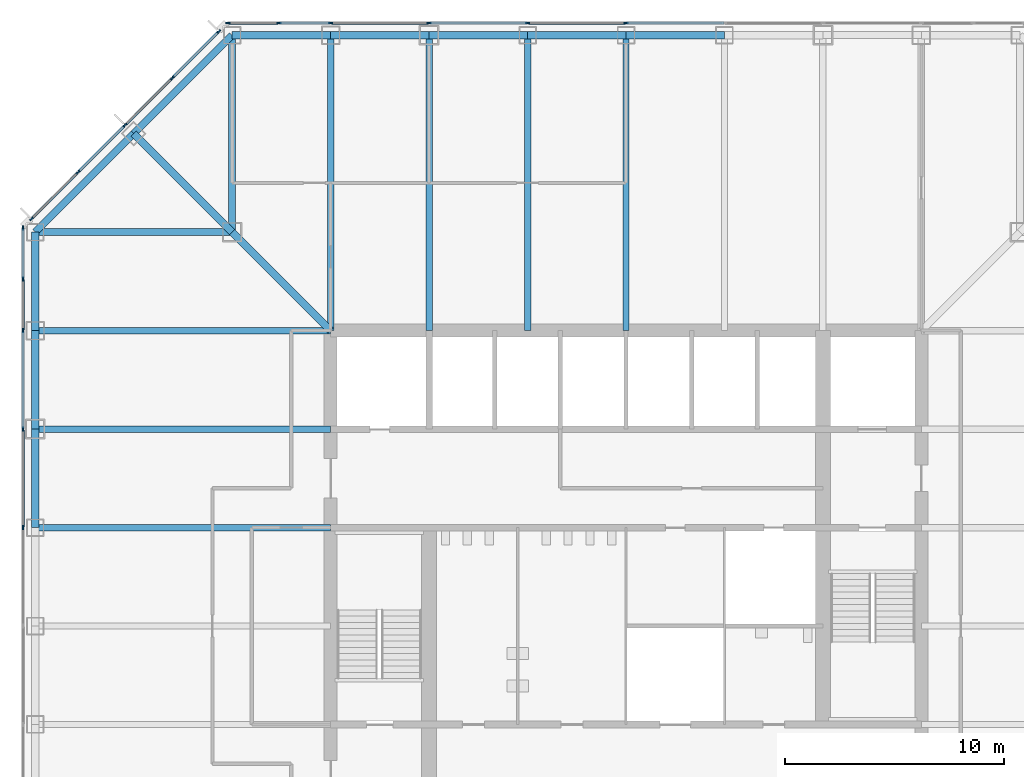
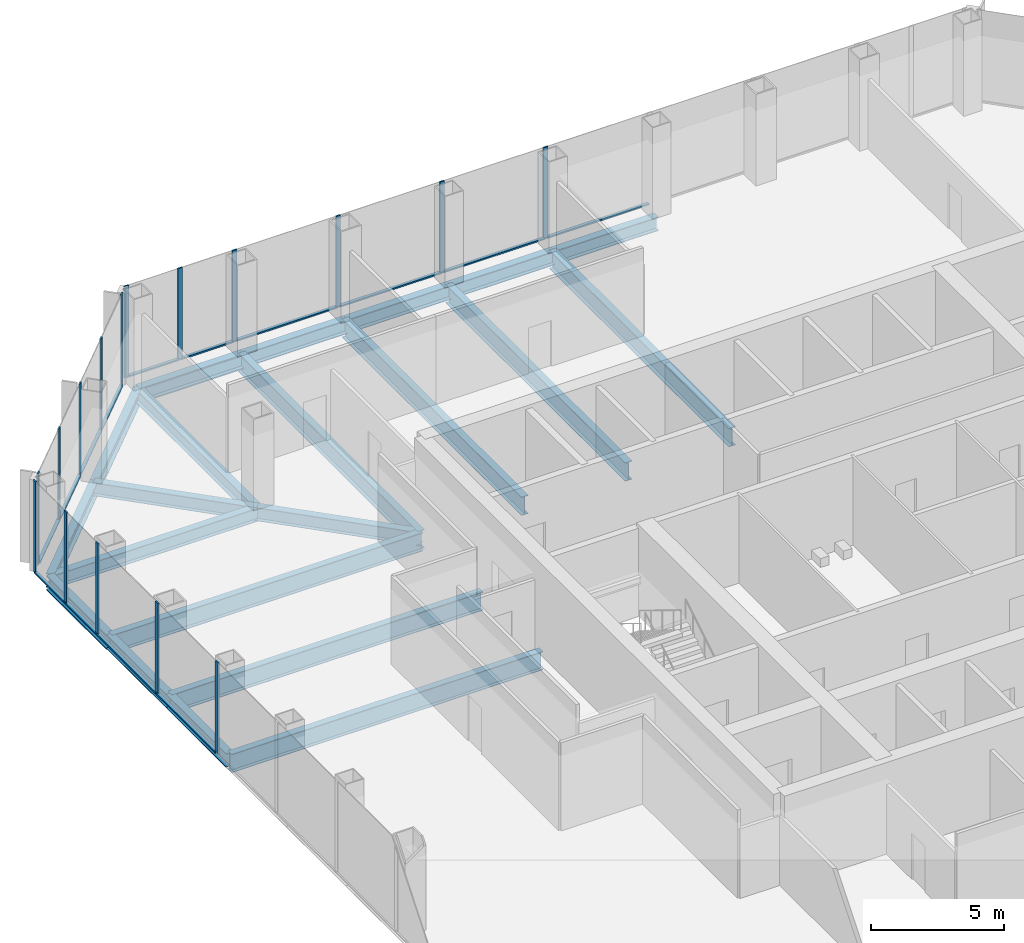
# One storey, part 5 of 12: 30 members, 21 beams, 3 elements without a shape of their own.
"""IFC4 building model written with IfcOpenShell, lengths in metres."""

from ifc_helpers import new_model, si_unit, direction, frame, origin, origin_2d, place, context, subcontext, project, spatial, rectangle, i_section, extrude, material, material_profile, profile_set, type_object, element, aggregate, save


model = new_model("IFC4")

# Units and contexts
model_context = context("Model", 3, precision=1e-05, world=origin(), true_north=direction((0.0, 1.0)))
body_context = subcontext(model_context, "Body", "Model", "MODEL_VIEW")
ifc_project = project(units=[si_unit("LENGTHUNIT", "METRE"), si_unit("AREAUNIT", "SQUARE_METRE"), si_unit("VOLUMEUNIT", "CUBIC_METRE"), si_unit("PLANEANGLEUNIT", "RADIAN"), si_unit("MASSUNIT", "GRAM", prefix="KILO")], contexts=[model_context])

# Site, building, storey
site_placement = place(None, origin())
site = spatial("IfcSite", under=ifc_project, at=site_placement, CompositionType="ELEMENT")
building_placement = place(site_placement, origin())
building = spatial("IfcBuilding", under=site, at=building_placement, Name="Corais Broadcast Tower", CompositionType="ELEMENT")
storey_placement = place(building_placement, frame((0.0, 0.0, 50.0)))
storey = spatial("IfcBuildingStorey", under=building, at=storey_placement, Name="L10", CompositionType="ELEMENT", Elevation=50.0)

# Beams
ifc_material_1 = material(Name="Steel ASTM A572 Grade 50", Category="steel")
ifc_material_profile_1 = material_profile(ifc_material_1, i_section(OverallWidth=0.323974609375, OverallDepth=0.611083984375, WebThickness=0.0126953125, FlangeThickness=0.01904296875, at=origin_2d()), Name="W610x155")
ifc_profile_set_1 = profile_set([ifc_material_profile_1], Name="Steel ASTM A572 Grade 50")
beam_type_1 = type_object("IfcBeamType", Name="Chamfer tie W610x155", PredefinedType="BEAM", material=ifc_profile_set_1)
beam_1_placement = place(storey_placement, frame((4.5, 49.5, -0.465576171875), z_axis=(0.707106781187, -0.707106781187, 0.0), x_axis=(0.707106781187, 0.707106781187, 0.0)))
element("IfcBeam", 1, at=beam_1_placement, inside=storey, type_object=beam_type_1, Name="B5 M/4 to L/5", PredefinedType="BEAM", context=body_context, shape_type="SweptSolid", body=[
    extrude(i_section(OverallWidth=0.323974609375, OverallDepth=0.611083984375, WebThickness=0.0126953125, FlangeThickness=0.01904296875, at=origin_2d()), origin(), (0.0, 0.0, 1.0), 6.364013671875),
])
ifc_material_2 = material(Name="Steel ASTM A572 Grade 50", Category="steel")
ifc_material_profile_2 = material_profile(ifc_material_2, i_section(OverallWidth=0.323974609375, OverallDepth=0.611083984375, WebThickness=0.0126953125, FlangeThickness=0.01904296875, at=origin_2d()), Name="W610x155")
ifc_profile_set_2 = profile_set([ifc_material_profile_2], Name="Steel ASTM A572 Grade 50")
beam_type_2 = type_object("IfcBeamType", Name="Corner diagonal W610x155", PredefinedType="BEAM", material=ifc_profile_set_2)
beam_2_placement = place(storey_placement, frame((9.0, 45.0, -0.465576171875), z_axis=(0.707106781187, -0.707106781187, 0.0), x_axis=(0.707106781187, 0.707106781187, 0.0)))
element("IfcBeam", 2, at=beam_2_placement, inside=storey, type_object=beam_type_2, Name="B6 L/5 to K/6", PredefinedType="BEAM", context=body_context, shape_type="SweptSolid", body=[
    extrude(i_section(OverallWidth=0.323974609375, OverallDepth=0.611083984375, WebThickness=0.0126953125, FlangeThickness=0.01904296875, at=origin_2d()), origin(), (0.0, 0.0, 1.0), 6.364013671875),
])
ifc_material_3 = material(Name="Steel ASTM A572 Grade 50", Category="steel")
ifc_material_profile_3 = material_profile(ifc_material_3, i_section(OverallWidth=0.323974609375, OverallDepth=0.611083984375, WebThickness=0.0126953125, FlangeThickness=0.01904296875, at=origin_2d()), Name="W610x155")
ifc_profile_set_3 = profile_set([ifc_material_profile_3], Name="Steel ASTM A572 Grade 50")
beam_type_3 = type_object("IfcBeamType", Name="Corner girder W610x155", PredefinedType="BEAM", material=ifc_profile_set_3)
for number, where, z_axis, x_axis, name in (
    (3, (0.0, 45.0, -0.465576171875), (1.0, 0.0, 0.0), (0.0, 1.0, 0.0), "B4 L/3 to L/5"),
    (4, (9.0, 54.0, -0.465576171875), (0.0, -1.0, 0.0), (1.0, 0.0, 0.0), "B4 N/5 to L/5"),
):
    element("IfcBeam", number, at=place(storey_placement, frame(where, z_axis=z_axis, x_axis=x_axis)), inside=storey, type_object=beam_type_3, Name=name, PredefinedType="BEAM", context=body_context, shape_type="SweptSolid", body=[
        extrude(i_section(OverallWidth=0.323974609375, OverallDepth=0.611083984375, WebThickness=0.0126953125, FlangeThickness=0.01904296875, at=origin_2d()), origin(), (0.0, 0.0, 1.0), 9.0),
    ])
ifc_material_4 = material(Name="Steel ASTM A572 Grade 50", Category="steel")
ifc_material_profile_4 = material_profile(ifc_material_4, i_section(OverallWidth=0.337890625, OverallDepth=0.677978515625, WebThickness=0.029541015625, FlangeThickness=0.052978515625, at=origin_2d()), Name="W610x415")
ifc_profile_set_4 = profile_set([ifc_material_profile_4], Name="Steel ASTM A572 Grade 50")
beam_type_4 = type_object("IfcBeamType", Name="Corner spandrel W610x415", PredefinedType="BEAM", material=ifc_profile_set_4)
for number, where, z_axis, x_axis, name in (
    (5, (0.0, 45.0, -0.4990234375), (0.0, -1.0, 0.0), (1.0, 0.0, 0.0), "SB10 L/3 to K/3"),
    (6, (13.5, 54.0, -0.4990234375), (-1.0, 0.0, 0.0), (0.0, -1.0, 0.0), "SB10 N/6 to N/5"),
):
    element("IfcBeam", number, at=place(storey_placement, frame(where, z_axis=z_axis, x_axis=x_axis)), inside=storey, type_object=beam_type_4, Name=name, PredefinedType="BEAM", context=body_context, shape_type="SweptSolid", body=[
        extrude(i_section(OverallWidth=0.337890625, OverallDepth=0.677978515625, WebThickness=0.029541015625, FlangeThickness=0.052978515625, at=origin_2d()), origin(), (0.0, 0.0, 1.0), 4.5),
    ])
ifc_material_5 = material(Name="Steel ASTM A572 Grade 50", Category="steel")
ifc_material_profile_5 = material_profile(ifc_material_5, i_section(OverallWidth=0.2939453125, OverallDepth=0.85107421875, WebThickness=0.01611328125, FlangeThickness=0.02685546875, at=origin_2d()), Name="W840x226")
ifc_profile_set_5 = profile_set([ifc_material_profile_5], Name="Steel ASTM A572 Grade 50")
beam_type_5 = type_object("IfcBeamType", Name="Floor beam W840x226", PredefinedType="BEAM", material=ifc_profile_set_5)
for number, where, z_axis, x_axis, name in (
    (7, (0.0, 31.5, -0.58544921875), (1.0, 0.0, 0.0), (0.0, 1.0, 0.0), "B1 H/3 to H/6"),
    (8, (0.0, 36.0, -0.58544921875), (1.0, 0.0, 0.0), (0.0, 1.0, 0.0), "B1 J/3 to J/6"),
    (9, (0.0, 40.5, -0.58544921875), (1.0, 0.0, 0.0), (0.0, 1.0, 0.0), "B1 K/3 to K/6"),
    (10, (13.5, 54.0, -0.58544921875), (0.0, -1.0, 0.0), (1.0, 0.0, 0.0), "B1 N/6 to K/6"),
    (11, (18.0, 54.0, -0.58544921875), (0.0, -1.0, 0.0), (1.0, 0.0, 0.0), "B1 N/7 to K/7"),
    (12, (22.5, 54.0, -0.58544921875), (0.0, -1.0, 0.0), (1.0, 0.0, 0.0), "B1 N/8 to K/8"),
    (13, (27.0, 54.0, -0.58544921875), (0.0, -1.0, 0.0), (1.0, 0.0, 0.0), "B1 N/9 to K/9"),
):
    element("IfcBeam", number, at=place(storey_placement, frame(where, z_axis=z_axis, x_axis=x_axis)), inside=storey, type_object=beam_type_5, Name=name, PredefinedType="BEAM", context=body_context, shape_type="SweptSolid", body=[
        extrude(i_section(OverallWidth=0.2939453125, OverallDepth=0.85107421875, WebThickness=0.01611328125, FlangeThickness=0.02685546875, at=origin_2d()), origin(), (0.0, 0.0, 1.0), 13.5),
    ])

# Curtain wall, members
ifc_material_6 = material(Name="Aluminium and glass", Category="aluminium")
curtain_wall_type = type_object("IfcCurtainWallType", Name="Unitised fritted curtain wall CW1", PredefinedType="NOTDEFINED", material=ifc_material_6)
curtain_wall_1_placement = place(storey_placement, origin())
curtain_wall_1 = element("IfcCurtainWall", 14, at=curtain_wall_1_placement, inside=storey, type_object=curtain_wall_type, Name="CW1 curtain wall L10 2", PredefinedType="NOTDEFINED")
ifc_material_7 = material(Name="Aluminium 6063-T6", Category="aluminium")
ifc_material_profile_6 = material_profile(ifc_material_7, rectangle(XDim=0.06494140625, YDim=0.199951171875, at=origin_2d()), Name="Mullion CW1 65x200")
ifc_profile_set_6 = profile_set([ifc_material_profile_6], Name="Aluminium 6063-T6")
member_type_1 = type_object("IfcMemberType", Name="Mullion CW1 65x200", PredefinedType="MULLION", material=ifc_profile_set_6)
member_1_placement = place(storey_placement, frame((-0.550048828125, 31.5, 0.0), z_axis=(0.0, 0.0, 1.0), x_axis=(-1.0, 0.0, 0.0)))
member_1 = element("IfcMember", 15, at=member_1_placement, type_object=member_type_1, Name="CW1 mullion 7", PredefinedType="MULLION", context=body_context, shape_type="SweptSolid", body=[
    extrude(rectangle(XDim=0.06494140625, YDim=0.199951171875, at=origin_2d()), origin(), (0.0, 0.0, 1.0), 4.199951171875),
])
member_2_placement = place(storey_placement, frame((-0.550048828125, 36.0, 0.0), z_axis=(0.0, 0.0, 1.0), x_axis=(-1.0, 0.0, 0.0)))
member_2 = element("IfcMember", 16, at=member_2_placement, type_object=member_type_1, Name="CW1 mullion 8", PredefinedType="MULLION", context=body_context, shape_type="SweptSolid", body=[
    extrude(rectangle(XDim=0.06494140625, YDim=0.199951171875, at=origin_2d()), origin(), (0.0, 0.0, 1.0), 4.199951171875),
])
member_3_placement = place(storey_placement, frame((-0.550048828125, 40.5, 0.0), z_axis=(0.0, 0.0, 1.0), x_axis=(-1.0, 0.0, 0.0)))
member_3 = element("IfcMember", 17, at=member_3_placement, type_object=member_type_1, Name="CW1 mullion 9", PredefinedType="MULLION", context=body_context, shape_type="SweptSolid", body=[
    extrude(rectangle(XDim=0.06494140625, YDim=0.199951171875, at=origin_2d()), origin(), (0.0, 0.0, 1.0), 4.199951171875),
])
member_4_placement = place(storey_placement, frame((-0.550048828125, 42.864013671875, 0.0), z_axis=(0.0, 0.0, 1.0), x_axis=(-1.0, 0.0, 0.0)))
member_4 = element("IfcMember", 18, at=member_4_placement, type_object=member_type_1, Name="CW1 mullion 10", PredefinedType="MULLION", context=body_context, shape_type="SweptSolid", body=[
    extrude(rectangle(XDim=0.06494140625, YDim=0.199951171875, at=origin_2d()), origin(), (0.0, 0.0, 1.0), 4.199951171875),
])
member_5_placement = place(storey_placement, frame((-0.550048828125, 45.1953125, 0.0), z_axis=(0.0, 0.0, 1.0), x_axis=(-1.0, 0.0, 0.0)))
member_5 = element("IfcMember", 19, at=member_5_placement, type_object=member_type_1, Name="CW1 mullion 11", PredefinedType="MULLION", context=body_context, shape_type="SweptSolid", body=[
    extrude(rectangle(XDim=0.06494140625, YDim=0.199951171875, at=origin_2d()), origin(), (0.0, 0.0, 1.0), 4.199951171875),
])

curtain_wall_2_placement = place(storey_placement, origin())
curtain_wall_2 = element("IfcCurtainWall", 20, at=curtain_wall_2_placement, inside=storey, type_object=curtain_wall_type, Name="CW1 curtain wall L10 3", PredefinedType="NOTDEFINED")
member_6_placement = place(storey_placement, frame((-0.17333984375, 45.6044921875, 0.0), z_axis=(0.0, 0.0, 1.0), x_axis=(-0.707106781187, 0.707106781187, 0.0)))
member_6 = element("IfcMember", 21, at=member_6_placement, type_object=member_type_1, Name="CW1 mullion 1", PredefinedType="MULLION", context=body_context, shape_type="SweptSolid", body=[
    extrude(rectangle(XDim=0.06494140625, YDim=0.199951171875, at=origin_2d()), origin(), (0.0, 0.0, 1.0), 4.199951171875),
])
member_7_placement = place(storey_placement, frame((1.957275390625, 47.735107421875, 0.0), z_axis=(0.0, 0.0, 1.0), x_axis=(-0.707106781187, 0.707106781187, 0.0)))
member_7 = element("IfcMember", 22, at=member_7_placement, type_object=member_type_1, Name="CW1 mullion 2", PredefinedType="MULLION", context=body_context, shape_type="SweptSolid", body=[
    extrude(rectangle(XDim=0.06494140625, YDim=0.199951171875, at=origin_2d()), origin(), (0.0, 0.0, 1.0), 4.199951171875),
])
member_8_placement = place(storey_placement, frame((4.111083984375, 49.888916015625, 0.0), z_axis=(0.0, 0.0, 1.0), x_axis=(-0.707106781187, 0.707106781187, 0.0)))
member_8 = element("IfcMember", 23, at=member_8_placement, type_object=member_type_1, Name="CW1 mullion 3", PredefinedType="MULLION", context=body_context, shape_type="SweptSolid", body=[
    extrude(rectangle(XDim=0.06494140625, YDim=0.199951171875, at=origin_2d()), origin(), (0.0, 0.0, 1.0), 4.199951171875),
])
member_9_placement = place(storey_placement, frame((6.264892578125, 52.042724609375, 0.0), z_axis=(0.0, 0.0, 1.0), x_axis=(-0.707106781187, 0.707106781187, 0.0)))
member_9 = element("IfcMember", 24, at=member_9_placement, type_object=member_type_1, Name="CW1 mullion 4", PredefinedType="MULLION", context=body_context, shape_type="SweptSolid", body=[
    extrude(rectangle(XDim=0.06494140625, YDim=0.199951171875, at=origin_2d()), origin(), (0.0, 0.0, 1.0), 4.199951171875),
])
member_10_placement = place(storey_placement, frame((8.3955078125, 54.17333984375, 0.0), z_axis=(0.0, 0.0, 1.0), x_axis=(-0.707106781187, 0.707106781187, 0.0)))
member_10 = element("IfcMember", 25, at=member_10_placement, type_object=member_type_1, Name="CW1 mullion 5", PredefinedType="MULLION", context=body_context, shape_type="SweptSolid", body=[
    extrude(rectangle(XDim=0.06494140625, YDim=0.199951171875, at=origin_2d()), origin(), (0.0, 0.0, 1.0), 4.199951171875),
])

curtain_wall_3_placement = place(storey_placement, origin())
curtain_wall_3 = element("IfcCurtainWall", 26, at=curtain_wall_3_placement, inside=storey, type_object=curtain_wall_type, Name="CW1 curtain wall L10 4", PredefinedType="NOTDEFINED")
member_11_placement = place(storey_placement, frame((8.8046875, 54.550048828125, 0.0), z_axis=(0.0, 0.0, 1.0), x_axis=(0.0, 1.0, 0.0)))
member_11 = element("IfcMember", 27, at=member_11_placement, type_object=member_type_1, Name="CW1 mullion 1", PredefinedType="MULLION", context=body_context, shape_type="SweptSolid", body=[
    extrude(rectangle(XDim=0.06494140625, YDim=0.199951171875, at=origin_2d()), origin(), (0.0, 0.0, 1.0), 4.199951171875),
])
member_12_placement = place(storey_placement, frame((11.135986328125, 54.550048828125, 0.0), z_axis=(0.0, 0.0, 1.0), x_axis=(0.0, 1.0, 0.0)))
member_12 = element("IfcMember", 28, at=member_12_placement, type_object=member_type_1, Name="CW1 mullion 2", PredefinedType="MULLION", context=body_context, shape_type="SweptSolid", body=[
    extrude(rectangle(XDim=0.06494140625, YDim=0.199951171875, at=origin_2d()), origin(), (0.0, 0.0, 1.0), 4.199951171875),
])
member_13_placement = place(storey_placement, frame((13.5, 54.550048828125, 0.0), z_axis=(0.0, 0.0, 1.0), x_axis=(0.0, 1.0, 0.0)))
member_13 = element("IfcMember", 29, at=member_13_placement, type_object=member_type_1, Name="CW1 mullion 3", PredefinedType="MULLION", context=body_context, shape_type="SweptSolid", body=[
    extrude(rectangle(XDim=0.06494140625, YDim=0.199951171875, at=origin_2d()), origin(), (0.0, 0.0, 1.0), 4.199951171875),
])
member_14_placement = place(storey_placement, frame((18.0, 54.550048828125, 0.0), z_axis=(0.0, 0.0, 1.0), x_axis=(0.0, 1.0, 0.0)))
member_14 = element("IfcMember", 30, at=member_14_placement, type_object=member_type_1, Name="CW1 mullion 4", PredefinedType="MULLION", context=body_context, shape_type="SweptSolid", body=[
    extrude(rectangle(XDim=0.06494140625, YDim=0.199951171875, at=origin_2d()), origin(), (0.0, 0.0, 1.0), 4.199951171875),
])
member_15_placement = place(storey_placement, frame((22.5, 54.550048828125, 0.0), z_axis=(0.0, 0.0, 1.0), x_axis=(0.0, 1.0, 0.0)))
member_15 = element("IfcMember", 31, at=member_15_placement, type_object=member_type_1, Name="CW1 mullion 5", PredefinedType="MULLION", context=body_context, shape_type="SweptSolid", body=[
    extrude(rectangle(XDim=0.06494140625, YDim=0.199951171875, at=origin_2d()), origin(), (0.0, 0.0, 1.0), 4.199951171875),
])
member_16_placement = place(storey_placement, frame((27.0, 54.550048828125, 0.0), z_axis=(0.0, 0.0, 1.0), x_axis=(0.0, 1.0, 0.0)))
member_16 = element("IfcMember", 32, at=member_16_placement, type_object=member_type_1, Name="CW1 mullion 6", PredefinedType="MULLION", context=body_context, shape_type="SweptSolid", body=[
    extrude(rectangle(XDim=0.06494140625, YDim=0.199951171875, at=origin_2d()), origin(), (0.0, 0.0, 1.0), 4.199951171875),
])

# Beams
ifc_material_8 = material(Name="Steel ASTM A572 Grade 50", Category="steel")
ifc_material_profile_7 = material_profile(ifc_material_8, i_section(OverallWidth=0.3291015625, OverallDepth=0.635009765625, WebThickness=0.017822265625, FlangeThickness=0.031005859375, at=origin_2d()), Name="W610x241")
ifc_profile_set_7 = profile_set([ifc_material_profile_7], Name="Steel ASTM A572 Grade 50")
beam_type_6 = type_object("IfcBeamType", Name="Spandrel W610x241", PredefinedType="BEAM", material=ifc_profile_set_7)
for number, where, z_axis, x_axis, name in (
    (33, (0.0, 36.0, -0.4775390625), (0.0, -1.0, 0.0), (1.0, 0.0, 0.0), "SB1 J/3 to H/3"),
    (34, (0.0, 40.5, -0.4775390625), (0.0, -1.0, 0.0), (1.0, 0.0, 0.0), "SB1 K/3 to J/3"),
    (35, (18.0, 54.0, -0.4775390625), (-1.0, 0.0, 0.0), (0.0, -1.0, 0.0), "SB1 N/7 to N/6"),
    (36, (22.5, 54.0, -0.4775390625), (-1.0, 0.0, 0.0), (0.0, -1.0, 0.0), "SB1 N/8 to N/7"),
    (37, (27.0, 54.0, -0.4775390625), (-1.0, 0.0, 0.0), (0.0, -1.0, 0.0), "SB1 N/9 to N/8"),
    (38, (31.5, 54.0, -0.4775390625), (-1.0, 0.0, 0.0), (0.0, -1.0, 0.0), "SB1 N/10 to N/9"),
):
    element("IfcBeam", number, at=place(storey_placement, frame(where, z_axis=z_axis, x_axis=x_axis)), inside=storey, type_object=beam_type_6, Name=name, PredefinedType="BEAM", context=body_context, shape_type="SweptSolid", body=[
        extrude(i_section(OverallWidth=0.3291015625, OverallDepth=0.635009765625, WebThickness=0.017822265625, FlangeThickness=0.031005859375, at=origin_2d()), origin(), (0.0, 0.0, 1.0), 4.5),
    ])
for number, where, z_axis, x_axis, name in (
    (39, (4.5, 49.5, -0.4775390625), (-0.707106781187, -0.707106781187, 0.0), (0.707106781187, -0.707106781187, 0.0), "SB1 M/4 to L/3"),
    (40, (9.0, 54.0, -0.4775390625), (-0.707106781187, -0.707106781187, 0.0), (0.707106781187, -0.707106781187, 0.0), "SB1 N/5 to M/4"),
):
    element("IfcBeam", number, at=place(storey_placement, frame(where, z_axis=z_axis, x_axis=x_axis)), inside=storey, type_object=beam_type_6, Name=name, PredefinedType="BEAM", context=body_context, shape_type="SweptSolid", body=[
        extrude(i_section(OverallWidth=0.3291015625, OverallDepth=0.635009765625, WebThickness=0.017822265625, FlangeThickness=0.031005859375, at=origin_2d()), origin(), (0.0, 0.0, 1.0), 6.364013671875),
    ])

# Member
ifc_material_9 = material(Name="Aluminium 6063-T6", Category="aluminium")
ifc_material_profile_8 = material_profile(ifc_material_9, rectangle(XDim=0.139892578125, YDim=0.06494140625, at=origin_2d()), Name="Transom CW1 65x140")
ifc_profile_set_8 = profile_set([ifc_material_profile_8], Name="Aluminium 6063-T6")
member_type_2 = type_object("IfcMemberType", Name="Transom CW1 65x140", PredefinedType="USERDEFINED", material=ifc_profile_set_8)
member_17_placement = place(storey_placement, frame((-0.550048828125, 31.532470703125, 0.032470703125), z_axis=(0.0, 1.0, 0.0), x_axis=(-1.0, 0.0, 0.0)))
member_17 = element("IfcMember", 41, at=member_17_placement, type_object=member_type_2, Name="CW1 transom 7.1", ObjectType="TRANSOM", PredefinedType="USERDEFINED", context=body_context, shape_type="SweptSolid", body=[
    extrude(rectangle(XDim=0.139892578125, YDim=0.06494140625, at=origin_2d()), origin(), (0.0, 0.0, 1.0), 4.43505859375),
])

member_18_placement = place(storey_placement, frame((-0.550048828125, 36.032470703125, 0.032470703125), z_axis=(0.0, 1.0, 0.0), x_axis=(-1.0, 0.0, 0.0)))
member_18 = element("IfcMember", 42, at=member_18_placement, type_object=member_type_2, Name="CW1 transom 8.1", ObjectType="TRANSOM", PredefinedType="USERDEFINED", context=body_context, shape_type="SweptSolid", body=[
    extrude(rectangle(XDim=0.139892578125, YDim=0.06494140625, at=origin_2d()), origin(), (0.0, 0.0, 1.0), 4.43505859375),
])

member_19_placement = place(storey_placement, frame((-0.550048828125, 40.532470703125, 0.032470703125), z_axis=(0.0, 1.0, 0.0), x_axis=(-1.0, 0.0, 0.0)))
member_19 = element("IfcMember", 43, at=member_19_placement, type_object=member_type_2, Name="CW1 transom 9.1", ObjectType="TRANSOM", PredefinedType="USERDEFINED", context=body_context, shape_type="SweptSolid", body=[
    extrude(rectangle(XDim=0.139892578125, YDim=0.06494140625, at=origin_2d()), origin(), (0.0, 0.0, 1.0), 2.298828125),
])

member_20_placement = place(storey_placement, frame((-0.550048828125, 42.896484375, 0.032470703125), z_axis=(0.0, 1.0, 0.0), x_axis=(-1.0, 0.0, 0.0)))
member_20 = element("IfcMember", 44, at=member_20_placement, type_object=member_type_2, Name="CW1 transom 10.1", ObjectType="TRANSOM", PredefinedType="USERDEFINED", context=body_context, shape_type="SweptSolid", body=[
    extrude(rectangle(XDim=0.139892578125, YDim=0.06494140625, at=origin_2d()), origin(), (0.0, 0.0, 1.0), 2.266357421875),
])

aggregate(curtain_wall_1, [member_1, member_2, member_3, member_4, member_5, member_17, member_18, member_19, member_20])

member_21_placement = place(storey_placement, frame((-0.150390625, 45.62744140625, 0.032470703125), z_axis=(0.707106781187, 0.707106781187, 0.0), x_axis=(-0.707106781187, 0.707106781187, 0.0)))
member_21 = element("IfcMember", 45, at=member_21_placement, type_object=member_type_2, Name="CW1 transom 1.1", ObjectType="TRANSOM", PredefinedType="USERDEFINED", context=body_context, shape_type="SweptSolid", body=[
    extrude(rectangle(XDim=0.139892578125, YDim=0.06494140625, at=origin_2d()), origin(), (0.0, 0.0, 1.0), 2.9482421875),
])

member_22_placement = place(storey_placement, frame((1.980224609375, 47.758056640625, 0.032470703125), z_axis=(0.707106781187, 0.707106781187, 0.0), x_axis=(-0.707106781187, 0.707106781187, 0.0)))
member_22 = element("IfcMember", 46, at=member_22_placement, type_object=member_type_2, Name="CW1 transom 2.1", ObjectType="TRANSOM", PredefinedType="USERDEFINED", context=body_context, shape_type="SweptSolid", body=[
    extrude(rectangle(XDim=0.139892578125, YDim=0.06494140625, at=origin_2d()), origin(), (0.0, 0.0, 1.0), 2.98095703125),
])

member_23_placement = place(storey_placement, frame((4.134033203125, 49.911865234375, 0.032470703125), z_axis=(0.707106781187, 0.707106781187, 0.0), x_axis=(-0.707106781187, 0.707106781187, 0.0)))
member_23 = element("IfcMember", 47, at=member_23_placement, type_object=member_type_2, Name="CW1 transom 3.1", ObjectType="TRANSOM", PredefinedType="USERDEFINED", context=body_context, shape_type="SweptSolid", body=[
    extrude(rectangle(XDim=0.139892578125, YDim=0.06494140625, at=origin_2d()), origin(), (0.0, 0.0, 1.0), 2.98095703125),
])

member_24_placement = place(storey_placement, frame((6.287841796875, 52.065673828125, 0.032470703125), z_axis=(0.707106781187, 0.707106781187, 0.0), x_axis=(-0.707106781187, 0.707106781187, 0.0)))
member_24 = element("IfcMember", 48, at=member_24_placement, type_object=member_type_2, Name="CW1 transom 4.1", ObjectType="TRANSOM", PredefinedType="USERDEFINED", context=body_context, shape_type="SweptSolid", body=[
    extrude(rectangle(XDim=0.139892578125, YDim=0.06494140625, at=origin_2d()), origin(), (0.0, 0.0, 1.0), 2.9482421875),
])

aggregate(curtain_wall_2, [member_6, member_7, member_8, member_9, member_10, member_21, member_22, member_23, member_24])

member_25_placement = place(storey_placement, frame((8.837158203125, 54.550048828125, 0.032470703125), z_axis=(1.0, 0.0, 0.0), x_axis=(0.0, 1.0, 0.0)))
member_25 = element("IfcMember", 49, at=member_25_placement, type_object=member_type_2, Name="CW1 transom 1.1", ObjectType="TRANSOM", PredefinedType="USERDEFINED", context=body_context, shape_type="SweptSolid", body=[
    extrude(rectangle(XDim=0.139892578125, YDim=0.06494140625, at=origin_2d()), origin(), (0.0, 0.0, 1.0), 2.266357421875),
])

member_26_placement = place(storey_placement, frame((11.168701171875, 54.550048828125, 0.032470703125), z_axis=(1.0, 0.0, 0.0), x_axis=(0.0, 1.0, 0.0)))
member_26 = element("IfcMember", 50, at=member_26_placement, type_object=member_type_2, Name="CW1 transom 2.1", ObjectType="TRANSOM", PredefinedType="USERDEFINED", context=body_context, shape_type="SweptSolid", body=[
    extrude(rectangle(XDim=0.139892578125, YDim=0.06494140625, at=origin_2d()), origin(), (0.0, 0.0, 1.0), 2.298828125),
])

member_27_placement = place(storey_placement, frame((13.532470703125, 54.550048828125, 0.032470703125), z_axis=(1.0, 0.0, 0.0), x_axis=(0.0, 1.0, 0.0)))
member_27 = element("IfcMember", 51, at=member_27_placement, type_object=member_type_2, Name="CW1 transom 3.1", ObjectType="TRANSOM", PredefinedType="USERDEFINED", context=body_context, shape_type="SweptSolid", body=[
    extrude(rectangle(XDim=0.139892578125, YDim=0.06494140625, at=origin_2d()), origin(), (0.0, 0.0, 1.0), 4.43505859375),
])

member_28_placement = place(storey_placement, frame((18.032470703125, 54.550048828125, 0.032470703125), z_axis=(1.0, 0.0, 0.0), x_axis=(0.0, 1.0, 0.0)))
member_28 = element("IfcMember", 52, at=member_28_placement, type_object=member_type_2, Name="CW1 transom 4.1", ObjectType="TRANSOM", PredefinedType="USERDEFINED", context=body_context, shape_type="SweptSolid", body=[
    extrude(rectangle(XDim=0.139892578125, YDim=0.06494140625, at=origin_2d()), origin(), (0.0, 0.0, 1.0), 4.43505859375),
])

member_29_placement = place(storey_placement, frame((22.532470703125, 54.550048828125, 0.032470703125), z_axis=(1.0, 0.0, 0.0), x_axis=(0.0, 1.0, 0.0)))
member_29 = element("IfcMember", 53, at=member_29_placement, type_object=member_type_2, Name="CW1 transom 5.1", ObjectType="TRANSOM", PredefinedType="USERDEFINED", context=body_context, shape_type="SweptSolid", body=[
    extrude(rectangle(XDim=0.139892578125, YDim=0.06494140625, at=origin_2d()), origin(), (0.0, 0.0, 1.0), 4.43505859375),
])

member_30_placement = place(storey_placement, frame((27.032470703125, 54.550048828125, 0.032470703125), z_axis=(1.0, 0.0, 0.0), x_axis=(0.0, 1.0, 0.0)))
member_30 = element("IfcMember", 54, at=member_30_placement, type_object=member_type_2, Name="CW1 transom 6.1", ObjectType="TRANSOM", PredefinedType="USERDEFINED", context=body_context, shape_type="SweptSolid", body=[
    extrude(rectangle(XDim=0.139892578125, YDim=0.06494140625, at=origin_2d()), origin(), (0.0, 0.0, 1.0), 4.43505859375),
])

aggregate(curtain_wall_3, [member_11, member_12, member_13, member_14, member_15, member_16, member_25, member_26, member_27, member_28, member_29, member_30])

save(model, "model.ifc")
